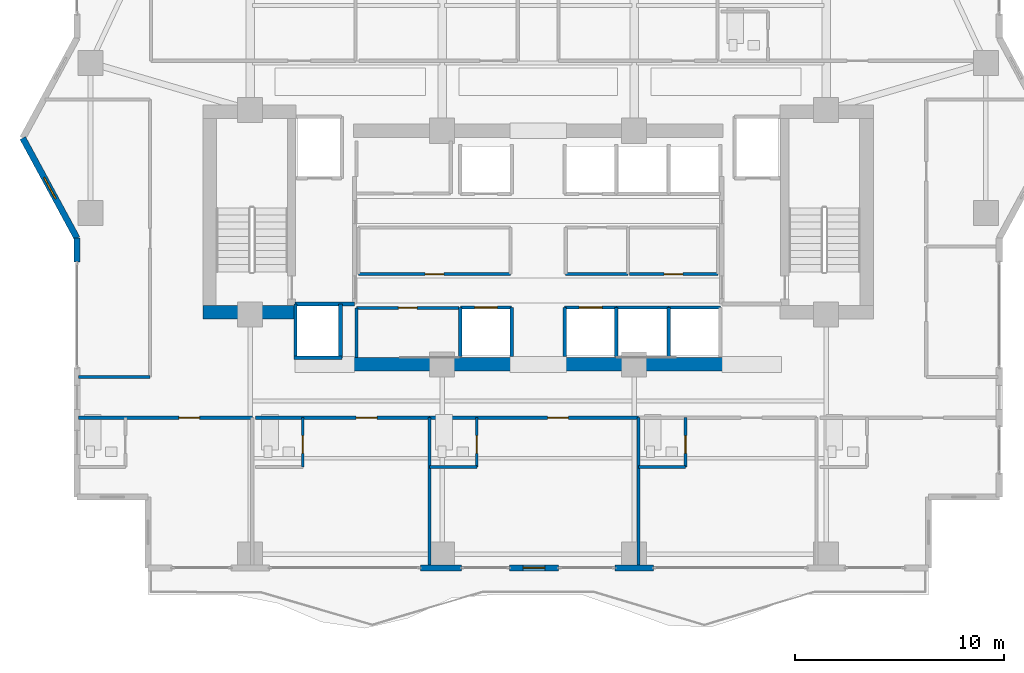
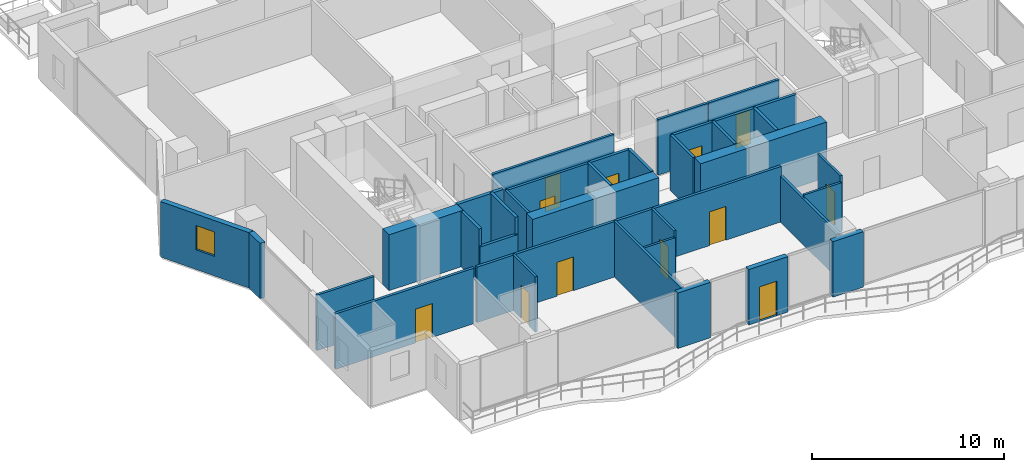
# One storey, part 24 of 32: 37 walls, 12 doors, 1 window, 13 openings.
"""IFC4 building model written with IfcOpenShell, lengths in metres."""

from ifc_helpers import new_model, si_unit, direction, frame, frame_2d, origin, place, context, subcontext, project, spatial, rectangle, extrude, material, layer, layer_set, type_object, element, fill, save


model = new_model("IFC4")

# Units and contexts
model_context = context("Model", 3, precision=1e-05, world=origin(), true_north=direction((0.0, 1.0)))
body_context = subcontext(model_context, "Body", "Model", "MODEL_VIEW")
ifc_project = project(units=[si_unit("LENGTHUNIT", "METRE"), si_unit("AREAUNIT", "SQUARE_METRE"), si_unit("VOLUMEUNIT", "CUBIC_METRE"), si_unit("PLANEANGLEUNIT", "RADIAN"), si_unit("MASSUNIT", "GRAM", prefix="KILO")], contexts=[model_context])

# Site, building, storey
site_placement = place(None, origin())
site = spatial("IfcSite", under=ifc_project, at=site_placement, CompositionType="ELEMENT")
building_placement = place(site_placement, origin())
building = spatial("IfcBuilding", under=site, at=building_placement, Name="Zuhayl Quay Hotel", CompositionType="ELEMENT")
storey_placement = place(building_placement, frame((0.0, 0.0, 184.89990234375)))
storey = spatial("IfcBuildingStorey", under=building, at=storey_placement, Name="L46", CompositionType="ELEMENT", Elevation=184.89990234375)

# Walls
ifc_material_1 = material(Name="Concrete C50/60", Category="concrete")
ifc_layer_1 = layer(ifc_material_1, 0.64990234375, Name="Concrete C50/60", Category="concrete")
ifc_layer_set_1 = layer_set([ifc_layer_1], Name="Concrete C50/60")
wall_type_1 = type_object("IfcWallType", Name="WL_CORE_650", PredefinedType="SHEAR", material=ifc_layer_set_1)
wall_1_placement = place(storey_placement, frame((-16.06005859375, 4.64501953125, 0.0), z_axis=(0.0, 0.0, 1.0), x_axis=(1.0, 0.0, 0.0)))
element("IfcWall", 1, at=wall_1_placement, inside=storey, type_object=wall_type_1, Name="L46 Core Shear Wall CW_SW", PredefinedType="SHEAR", context=body_context, shape_type="SweptSolid", body=[
    extrude(rectangle(XDim=4.4599609375, YDim=0.64990234375, at=frame_2d((2.22998046875, 0.0))), origin(), (0.0, 0.0, 1.0), 3.56005859375),
])
for number, where, z_axis, x_axis, name in (
    (2, (-8.85009765625, 2.14990234375, 0.0), (0.0, 0.0, 1.0), (1.0, 0.0, 0.0), "L46 Core Shear Wall CW_SC_W"),
    (3, (1.25, 2.14990234375, 0.0), (0.0, 0.0, 1.0), (1.0, 0.0, 0.0), "L46 Core Shear Wall CW_SC_E"),
):
    element("IfcWall", number, at=place(storey_placement, frame(where, z_axis=z_axis, x_axis=x_axis)), inside=storey, type_object=wall_type_1, Name=name, PredefinedType="SHEAR", context=body_context, shape_type="SweptSolid", body=[
        extrude(rectangle(XDim=7.60009765625, YDim=0.64990234375, at=frame_2d((3.800048828125, 0.0))), origin(), (0.0, 0.0, 1.0), 3.530029296875),
    ])
ifc_material_2 = material(Name="Precast concrete C45/55", Category="concrete")
ifc_layer_2 = layer(ifc_material_2, 0.300048828125, Name="Precast concrete C45/55", Category="concrete")
ifc_layer_set_2 = layer_set([ifc_layer_2], Name="Precast concrete C45/55")
wall_type_2 = type_object("IfcWallType", Name="WL_EXT_300", PredefinedType="STANDARD", material=ifc_layer_set_2)
wall_2_placement = place(storey_placement, frame((-22.10009765625, 7.050048828125, 0.0), z_axis=(0.0, 0.0, 1.0), x_axis=(0.0, 1.0, 0.0)))
element("IfcWall", 4, at=wall_2_placement, inside=storey, type_object=wall_type_2, Name="L46 Exterior Precast Wall ENV_L46_E02_EW2", PredefinedType="STANDARD", context=body_context, shape_type="SweptSolid", body=[
    extrude(rectangle(XDim=1.14990234375, YDim=0.300048828125, at=frame_2d((0.574951171875, 0.0))), origin(), (0.0, 0.0, 1.0), 3.530029296875),
])

# Wall, opening, window
wall_3_placement = place(storey_placement, frame((-22.10009765625, 8.199951171875, 0.0), z_axis=(0.0, 0.0, 1.0), x_axis=(-0.476258655584, 0.879305233114, 0.0)))
wall_3 = element("IfcWall", 5, at=wall_3_placement, inside=storey, type_object=wall_type_2, Name="L46 Exterior Precast Wall ENV_L46_EW03", PredefinedType="STANDARD", context=body_context, shape_type="SweptSolid", body=[
    extrude(rectangle(XDim=5.458984375, YDim=0.300048828125, at=frame_2d((2.7294921875, 0.0))), origin(), (0.0, 0.0, 1.0), 3.530029296875),
])
opening_1_placement = place(wall_3_placement, frame((2.154541015625, 0.0, 1.25)))
opening_1 = element("IfcOpeningElement", 6, at=opening_1_placement, cuts=wall_3, Name="Opening W01N", PredefinedType="OPENING", context=body_context, shape_type="SweptSolid", body=[
    extrude(rectangle(XDim=1.14990234375, YDim=1.550048828125, at=frame_2d((0.574951171875, 0.77490234375))), frame((0.0, 0.159912109375, 0.0), z_axis=(0.0, -1.0, 0.0), x_axis=(1.0, 0.0, 0.0)), (0.0, 0.0, 1.0), 0.320068359375),
])
ifc_material_3 = material(Name="Dark Ceramic-Fritted Solar Glass", Category="glass")
window_type = type_object("IfcWindowType", Name="WN_NOTCH_1350", PartitioningType="SINGLE_PANEL", PredefinedType="WINDOW", material=ifc_material_3)
window_placement = place(opening_1_placement, origin())
window = element("IfcWindow", 7, at=window_placement, inside=storey, type_object=window_type, Name="L46 Corner Notch Window 3", OverallHeight=1.550048828125, OverallWidth=1.14990234375, PartitioningType="SINGLE_PANEL", PredefinedType="WINDOW", context=body_context, shape_type="SweptSolid", body=[
    extrude(rectangle(XDim=1.14990234375, YDim=1.550048828125, at=frame_2d((0.574951171875, 0.77490234375))), frame((0.0, 0.030029296875, 0.0), z_axis=(0.0, -1.0, 0.0), x_axis=(1.0, 0.0, 0.0)), (0.0, 0.0, 1.0), 0.06005859375),
])
fill(opening_1, window)

# Wall
wall_4_placement = place(storey_placement, frame((5.52001953125, -7.60009765625, 0.0), z_axis=(0.0, 0.0, 1.0), x_axis=(-1.0, 0.0, 0.0)))
element("IfcWall", 8, at=wall_4_placement, inside=storey, type_object=wall_type_2, Name="L46 Exterior Precast Wall ENV_L46_S_EW3", PredefinedType="STANDARD", context=body_context, shape_type="SweptSolid", body=[
    extrude(rectangle(XDim=1.840087890625, YDim=0.300048828125, at=frame_2d((0.919921875, 0.0))), origin(), (0.0, 0.0, 1.0), 3.530029296875),
])

# Wall, opening, door
wall_5_placement = place(storey_placement, frame((0.97509765625, -7.60009765625, 0.0), z_axis=(0.0, 0.0, 1.0), x_axis=(-1.0, 0.0, 0.0)))
wall_5 = element("IfcWall", 9, at=wall_5_placement, inside=storey, type_object=wall_type_2, Name="L46 Exterior Precast Wall ENV_L46_S_EW4", PredefinedType="STANDARD", context=body_context, shape_type="SweptSolid", body=[
    extrude(rectangle(XDim=2.35009765625, YDim=0.300048828125, at=frame_2d((1.175048828125, 0.0))), origin(), (0.0, 0.0, 1.0), 3.530029296875),
])
opening_2_placement = place(wall_5_placement, frame((0.64990234375, 0.0, 0.0)))
opening_2 = element("IfcOpeningElement", 10, at=opening_2_placement, cuts=wall_5, Name="Opening DG1", PredefinedType="OPENING", context=body_context, shape_type="SweptSolid", body=[
    extrude(rectangle(XDim=1.050048828125, YDim=2.199951171875, at=frame_2d((0.52490234375, 1.10009765625))), frame((0.0, 0.159912109375, 0.0), z_axis=(0.0, -1.0, 0.0), x_axis=(1.0, 0.0, 0.0)), (0.0, 0.0, 1.0), 0.320068359375),
])
ifc_material_4 = material(Name="Anodised Aluminium and Dark Solar Glass", Category="aluminium")
door_type_1 = type_object("IfcDoorType", Name="DR_EXT_TERR_1050", OperationType="NOTDEFINED", PredefinedType="DOOR", material=ifc_material_4)
door_1_placement = place(opening_2_placement, origin())
door_1 = element("IfcDoor", 11, at=door_1_placement, inside=storey, type_object=door_type_1, Name="L46 South Rippling Balcony Door", OperationType="SINGLE_SWING_RIGHT", OverallHeight=2.199951171875, OverallWidth=1.050048828125, PredefinedType="DOOR", context=body_context, shape_type="SweptSolid", body=[
    extrude(rectangle(XDim=1.050048828125, YDim=2.199951171875, at=frame_2d((0.52490234375, 1.10009765625))), frame((0.0, 0.02490234375, 0.0), z_axis=(0.0, -1.0, 0.0), x_axis=(1.0, 0.0, 0.0)), (0.0, 0.0, 1.0), 0.050048828125),
])
fill(opening_2, door_1)

# Wall
wall_6_placement = place(storey_placement, frame((-3.679931640625, -7.60009765625, 0.0), z_axis=(0.0, 0.0, 1.0), x_axis=(-1.0, 0.0, 0.0)))
element("IfcWall", 12, at=wall_6_placement, inside=storey, type_object=wall_type_2, Name="L46 Exterior Precast Wall ENV_L46_S_EW5", PredefinedType="STANDARD", context=body_context, shape_type="SweptSolid", body=[
    extrude(rectangle(XDim=1.969970703125, YDim=0.300048828125, at=frame_2d((0.98486328125, 0.0))), origin(), (0.0, 0.0, 1.0), 3.530029296875),
])

# Wall, opening, door
ifc_material_5 = material(Name="Acoustic Gypsum Partition STC-58")
ifc_layer_3 = layer(ifc_material_5, 0.14990234375, Name="Acoustic Gypsum Partition STC-58")
ifc_layer_set_3 = layer_set([ifc_layer_3], Name="Acoustic Gypsum Partition STC-58")
wall_type_3 = type_object("IfcWallType", Name="WL_PART_150", PredefinedType="PARTITIONING", material=ifc_layer_set_3)
wall_7_placement = place(storey_placement, frame((-8.7099609375, 4.860107421875, 0.0), z_axis=(0.0, 0.0, 1.0), x_axis=(1.0, 0.0, 0.0)))
wall_7 = element("IfcWall", 13, at=wall_7_placement, inside=storey, type_object=wall_type_3, Name="L46 Partition IW_L46_FLP_S_N", PredefinedType="PARTITIONING", context=body_context, shape_type="SweptSolid", body=[
    extrude(rectangle(XDim=4.919921875, YDim=0.14990234375, at=frame_2d((2.4599609375, 0.0))), origin(), (0.0, 0.0, 1.0), 3.530029296875),
])
opening_3_placement = place(wall_7_placement, frame((2.010009765625, 0.0, 0.0)))
opening_3 = element("IfcOpeningElement", 14, at=opening_3_placement, cuts=wall_7, Name="Opening D06", PredefinedType="OPENING", context=body_context, shape_type="SweptSolid", body=[
    extrude(rectangle(XDim=0.89990234375, YDim=2.14990234375, at=frame_2d((0.449951171875, 1.074951171875))), frame((0.0, 0.0849609375, 0.0), z_axis=(0.0, -1.0, 0.0), x_axis=(1.0, 0.0, 0.0)), (0.0, 0.0, 1.0), 0.169921875),
])
ifc_material_6 = material(Name="Steel ASTM A992 Grade 50", Category="steel")
door_type_2 = type_object("IfcDoorType", Name="DR_INT_900", OperationType="NOTDEFINED", PredefinedType="DOOR", material=ifc_material_6)
door_2_placement = place(opening_3_placement, origin())
door_2 = element("IfcDoor", 15, at=door_2_placement, inside=storey, type_object=door_type_2, Name="L46 Sky-Zone Butler Servery Door", OperationType="SINGLE_SWING_LEFT", OverallHeight=2.14990234375, OverallWidth=0.89990234375, PredefinedType="DOOR", context=body_context, shape_type="SweptSolid", body=[
    extrude(rectangle(XDim=0.89990234375, YDim=2.14990234375, at=frame_2d((0.449951171875, 1.074951171875))), frame((0.0, 0.02490234375, 0.0), z_axis=(0.0, -1.0, 0.0), x_axis=(1.0, 0.0, 0.0)), (0.0, 0.0, 1.0), 0.050048828125),
])
fill(opening_3, door_2)

wall_8_placement = place(storey_placement, frame((-8.610107421875, 6.47998046875, 0.0), z_axis=(0.0, 0.0, 1.0), x_axis=(1.0, 0.0, 0.0)))
wall_8 = element("IfcWall", 16, at=wall_8_placement, inside=storey, type_object=wall_type_3, Name="L46 Partition IW_L46_CORE_EL_S", PredefinedType="PARTITIONING", context=body_context, shape_type="SweptSolid", body=[
    extrude(rectangle(XDim=7.2900390625, YDim=0.14990234375, at=frame_2d((3.64501953125, 0.0))), origin(), (0.0, 0.0, 1.0), 3.530029296875),
])
opening_4_placement = place(wall_8_placement, frame((3.195068359375, 0.0, 0.0)))
opening_4 = element("IfcOpeningElement", 17, at=opening_4_placement, cuts=wall_8, Name="Opening D06", PredefinedType="OPENING", context=body_context, shape_type="SweptSolid", body=[
    extrude(rectangle(XDim=0.89990234375, YDim=2.14990234375, at=frame_2d((0.449951171875, 1.074951171875))), frame((0.0, 0.0849609375, 0.0), z_axis=(0.0, -1.0, 0.0), x_axis=(1.0, 0.0, 0.0)), (0.0, 0.0, 1.0), 0.169921875),
])
door_3_placement = place(opening_4_placement, origin())
door_3 = element("IfcDoor", 18, at=door_3_placement, inside=storey, type_object=door_type_2, Name="L46 Floor Electrical Plant Room Door", OperationType="SINGLE_SWING_LEFT", OverallHeight=2.14990234375, OverallWidth=0.89990234375, PredefinedType="DOOR", context=body_context, shape_type="SweptSolid", body=[
    extrude(rectangle(XDim=0.89990234375, YDim=2.14990234375, at=frame_2d((0.449951171875, 1.074951171875))), frame((0.0, 0.02490234375, 0.0), z_axis=(0.0, -1.0, 0.0), x_axis=(1.0, 0.0, 0.0)), (0.0, 0.0, 1.0), 0.050048828125),
])
fill(opening_4, door_3)

wall_9_placement = place(storey_placement, frame((4.3701171875, 6.47998046875, 0.0), z_axis=(0.0, 0.0, 1.0), x_axis=(1.0, 0.0, 0.0)))
wall_9 = element("IfcWall", 19, at=wall_9_placement, inside=storey, type_object=wall_type_3, Name="L46 Partition IW_L46_CORE_LN_S", PredefinedType="PARTITIONING", context=body_context, shape_type="SweptSolid", body=[
    extrude(rectangle(XDim=4.239990234375, YDim=0.14990234375, at=frame_2d((2.1201171875, 0.0))), origin(), (0.0, 0.0, 1.0), 3.530029296875),
])
opening_5_placement = place(wall_9_placement, frame((1.669921875, 0.0, 0.0)))
opening_5 = element("IfcOpeningElement", 20, at=opening_5_placement, cuts=wall_9, Name="Opening D06", PredefinedType="OPENING", context=body_context, shape_type="SweptSolid", body=[
    extrude(rectangle(XDim=0.89990234375, YDim=2.14990234375, at=frame_2d((0.449951171875, 1.074951171875))), frame((0.0, 0.0849609375, 0.0), z_axis=(0.0, -1.0, 0.0), x_axis=(1.0, 0.0, 0.0)), (0.0, 0.0, 1.0), 0.169921875),
])
door_4_placement = place(opening_5_placement, origin())
door_4 = element("IfcDoor", 21, at=door_4_placement, inside=storey, type_object=door_type_2, Name="L46 Core Linen Store Door", OperationType="SINGLE_SWING_LEFT", OverallHeight=2.14990234375, OverallWidth=0.89990234375, PredefinedType="DOOR", context=body_context, shape_type="SweptSolid", body=[
    extrude(rectangle(XDim=0.89990234375, YDim=2.14990234375, at=frame_2d((0.449951171875, 1.074951171875))), frame((0.0, 0.02490234375, 0.0), z_axis=(0.0, -1.0, 0.0), x_axis=(1.0, 0.0, 0.0)), (0.0, 0.0, 1.0), 0.050048828125),
])
fill(opening_5, door_4)

# Walls
wall_10_placement = place(storey_placement, frame((-8.7099609375, 2.489990234375, 0.0), z_axis=(0.0, 0.0, 1.0), x_axis=(0.0, 1.0, 0.0)))
element("IfcWall", 22, at=wall_10_placement, inside=storey, type_object=wall_type_3, Name="L46 Partition IW_L46_FLP_S_W", PredefinedType="PARTITIONING", context=body_context, shape_type="SweptSolid", body=[
    extrude(rectangle(XDim=2.3701171875, YDim=0.14990234375, at=frame_2d((1.18505859375, 0.0))), origin(), (0.0, 0.0, 1.0), 3.530029296875),
])
wall_11_placement = place(storey_placement, frame((1.320068359375, 6.47998046875, 0.0), z_axis=(0.0, 0.0, 1.0), x_axis=(1.0, 0.0, 0.0)))
element("IfcWall", 23, at=wall_11_placement, inside=storey, type_object=wall_type_3, Name="L46 Partition IW_L46_CORE_IT_S", PredefinedType="PARTITIONING", context=body_context, shape_type="SweptSolid", body=[
    extrude(rectangle(XDim=2.989990234375, YDim=0.14990234375, at=frame_2d((1.4951171875, 0.0))), origin(), (0.0, 0.0, 1.0), 3.530029296875),
])
wall_12_placement = place(storey_placement, frame((-5.199951171875, -7.52001953125, 0.0), z_axis=(0.0, 0.0, 1.0), x_axis=(0.0, 1.0, 0.0)))
element("IfcWall", 24, at=wall_12_placement, inside=storey, type_object=wall_type_3, Name="L46 Partition IW_L46_SU01B_E", PredefinedType="PARTITIONING", context=body_context, shape_type="SweptSolid", body=[
    extrude(rectangle(XDim=7.1201171875, YDim=0.14990234375, at=frame_2d((3.56005859375, 0.0))), origin(), (0.0, 0.0, 1.0), 3.530029296875),
])
wall_13_placement = place(storey_placement, frame((4.800048828125, -7.52001953125, 0.0), z_axis=(0.0, 0.0, 1.0), x_axis=(0.0, 1.0, 0.0)))
element("IfcWall", 25, at=wall_13_placement, inside=storey, type_object=wall_type_3, Name="L46 Partition IW_L46_SU02_E", PredefinedType="PARTITIONING", context=body_context, shape_type="SweptSolid", body=[
    extrude(rectangle(XDim=7.1201171875, YDim=0.14990234375, at=frame_2d((3.56005859375, 0.0))), origin(), (0.0, 0.0, 1.0), 2.923095703125),
])
wall_14_placement = place(storey_placement, frame((-22.0400390625, 1.550048828125, 0.0), z_axis=(0.0, 0.0, 1.0), x_axis=(1.0, 0.0, 0.0)))
element("IfcWall", 26, at=wall_14_placement, inside=storey, type_object=wall_type_3, Name="L46 Partition IW_L46_WPROW_1_S", PredefinedType="PARTITIONING", context=body_context, shape_type="SweptSolid", body=[
    extrude(rectangle(XDim=3.43994140625, YDim=0.14990234375, at=frame_2d((1.719970703125, 0.0))), origin(), (0.0, 0.0, 1.0), 3.530029296875),
])

# Wall, opening, door
ifc_layer_4 = layer(ifc_material_5, 0.159912109375, Name="Acoustic Gypsum Partition STC-58")
ifc_layer_set_4 = layer_set([ifc_layer_4], Name="Acoustic Gypsum Partition STC-58")
wall_type_4 = type_object("IfcWallType", Name="WL_PART_CORR_160", PredefinedType="PARTITIONING", material=ifc_layer_set_4)
wall_15_placement = place(storey_placement, frame((-22.0400390625, -0.39990234375, 0.0), z_axis=(0.0, 0.0, 1.0), x_axis=(1.0, 0.0, 0.0)))
wall_15 = element("IfcWall", 27, at=wall_15_placement, inside=storey, type_object=wall_type_4, Name="L46 Partition IW_L46_SU01A_COR", PredefinedType="PARTITIONING", context=body_context, shape_type="SweptSolid", body=[
    extrude(rectangle(XDim=8.340087890625, YDim=0.159912109375, at=frame_2d((4.169921875, 0.0))), origin(), (0.0, 0.0, 1.0), 3.530029296875),
])
opening_6_placement = place(wall_15_placement, frame((4.820068359375, 0.0, 0.0)))
opening_6 = element("IfcOpeningElement", 28, at=opening_6_placement, cuts=wall_15, Name="Opening D03L", PredefinedType="OPENING", context=body_context, shape_type="SweptSolid", body=[
    extrude(rectangle(XDim=1.0, YDim=2.14990234375, at=frame_2d((0.5, 1.074951171875))), frame((0.0, 0.08984375, 0.0), z_axis=(0.0, -1.0, 0.0), x_axis=(1.0, 0.0, 0.0)), (0.0, 0.0, 1.0), 0.179931640625),
])
ifc_material_7 = material(Name="Solid Walnut Acoustic Fire Door")
door_type_3 = type_object("IfcDoorType", Name="DR_SUITE_1000", OperationType="NOTDEFINED", PredefinedType="DOOR", material=ifc_material_7)
door_5_placement = place(opening_6_placement, origin())
door_5 = element("IfcDoor", 29, at=door_5_placement, inside=storey, type_object=door_type_3, Name="L46 City-View Junior Suite L46-01A Entrance Door", OperationType="SINGLE_SWING_RIGHT", OverallHeight=2.14990234375, OverallWidth=1.0, PredefinedType="DOOR", context=body_context, shape_type="SweptSolid", body=[
    extrude(rectangle(XDim=1.0, YDim=2.14990234375, at=frame_2d((0.5, 1.074951171875))), frame((0.0, 0.02490234375, 0.0), z_axis=(0.0, -1.0, 0.0), x_axis=(1.0, 0.0, 0.0)), (0.0, 0.0, 1.0), 0.050048828125),
])
fill(opening_6, door_5)

wall_16_placement = place(storey_placement, frame((-13.5400390625, -0.39990234375, 0.0), z_axis=(0.0, 0.0, 1.0), x_axis=(1.0, 0.0, 0.0)))
wall_16 = element("IfcWall", 30, at=wall_16_placement, inside=storey, type_object=wall_type_4, Name="L46 Partition IW_L46_SU01B_COR", PredefinedType="PARTITIONING", context=body_context, shape_type="SweptSolid", body=[
    extrude(rectangle(XDim=8.340087890625, YDim=0.159912109375, at=frame_2d((4.169921875, 0.0))), origin(), (0.0, 0.0, 1.0), 3.530029296875),
])
opening_7_placement = place(wall_16_placement, frame((4.820068359375, 0.0, 0.0)))
opening_7 = element("IfcOpeningElement", 31, at=opening_7_placement, cuts=wall_16, Name="Opening D03L", PredefinedType="OPENING", context=body_context, shape_type="SweptSolid", body=[
    extrude(rectangle(XDim=1.0, YDim=2.14990234375, at=frame_2d((0.5, 1.074951171875))), frame((0.0, 0.08984375, 0.0), z_axis=(0.0, -1.0, 0.0), x_axis=(1.0, 0.0, 0.0)), (0.0, 0.0, 1.0), 0.179931640625),
])
door_6_placement = place(opening_7_placement, origin())
door_6 = element("IfcDoor", 32, at=door_6_placement, inside=storey, type_object=door_type_3, Name="L46 City-View Junior Suite L46-01B Entrance Door", OperationType="SINGLE_SWING_RIGHT", OverallHeight=2.14990234375, OverallWidth=1.0, PredefinedType="DOOR", context=body_context, shape_type="SweptSolid", body=[
    extrude(rectangle(XDim=1.0, YDim=2.14990234375, at=frame_2d((0.5, 1.074951171875))), frame((0.0, 0.02490234375, 0.0), z_axis=(0.0, -1.0, 0.0), x_axis=(1.0, 0.0, 0.0)), (0.0, 0.0, 1.0), 0.050048828125),
])
fill(opening_7, door_6)

wall_17_placement = place(storey_placement, frame((-5.199951171875, -0.39990234375, 0.0), z_axis=(0.0, 0.0, 1.0), x_axis=(1.0, 0.0, 0.0)))
wall_17 = element("IfcWall", 33, at=wall_17_placement, inside=storey, type_object=wall_type_4, Name="L46 Partition IW_L46_SU02_COR", PredefinedType="PARTITIONING", context=body_context, shape_type="SweptSolid", body=[
    extrude(rectangle(XDim=10.0, YDim=0.159912109375, at=frame_2d((5.0, 0.0))), origin(), (0.0, 0.0, 1.0), 3.530029296875),
])
opening_8_placement = place(wall_17_placement, frame((5.64990234375, 0.0, 0.0)))
opening_8 = element("IfcOpeningElement", 34, at=opening_8_placement, cuts=wall_17, Name="Opening D03L", PredefinedType="OPENING", context=body_context, shape_type="SweptSolid", body=[
    extrude(rectangle(XDim=1.0, YDim=2.14990234375, at=frame_2d((0.5, 1.074951171875))), frame((0.0, 0.08984375, 0.0), z_axis=(0.0, -1.0, 0.0), x_axis=(1.0, 0.0, 0.0)), (0.0, 0.0, 1.0), 0.179931640625),
])
door_7_placement = place(opening_8_placement, origin())
door_7 = element("IfcDoor", 35, at=door_7_placement, inside=storey, type_object=door_type_3, Name="L46 City-View Junior Suite L46-02 Entrance Door", OperationType="SINGLE_SWING_RIGHT", OverallHeight=2.14990234375, OverallWidth=1.0, PredefinedType="DOOR", context=body_context, shape_type="SweptSolid", body=[
    extrude(rectangle(XDim=1.0, YDim=2.14990234375, at=frame_2d((0.5, 1.074951171875))), frame((0.0, 0.02490234375, 0.0), z_axis=(0.0, -1.0, 0.0), x_axis=(1.0, 0.0, 0.0)), (0.0, 0.0, 1.0), 0.050048828125),
])
fill(opening_8, door_7)

ifc_material_8 = material(Name="Moisture-Resistant Sanitarychase Gypsum")
ifc_layer_5 = layer(ifc_material_8, 0.135009765625, Name="Moisture-Resistant Sanitarychase Gypsum")
ifc_layer_set_5 = layer_set([ifc_layer_5], Name="Moisture-Resistant Sanitarychase Gypsum")
wall_type_5 = type_object("IfcWallType", Name="WL_PART_PLUMB_150", PredefinedType="PLUMBINGWALL", material=ifc_layer_set_5)
wall_18_placement = place(storey_placement, frame((-11.280029296875, -2.760009765625, 0.0), z_axis=(0.0, 0.0, 1.0), x_axis=(0.0, 1.0, 0.0)))
wall_18 = element("IfcWall", 36, at=wall_18_placement, inside=storey, type_object=wall_type_5, Name="L46 Partition IW_L46_SU01B_BE", PredefinedType="PLUMBINGWALL", context=body_context, shape_type="SweptSolid", body=[
    extrude(rectangle(XDim=2.360107421875, YDim=0.135009765625, at=frame_2d((1.18017578125, 0.0))), origin(), (0.0, 0.0, 1.0), 3.530029296875),
])
opening_9_placement = place(wall_18_placement, frame((0.64990234375, 0.0, 0.0)))
opening_9 = element("IfcOpeningElement", 37, at=opening_9_placement, cuts=wall_18, Name="Opening D04", PredefinedType="OPENING", context=body_context, shape_type="SweptSolid", body=[
    extrude(rectangle(XDim=0.85009765625, YDim=2.10009765625, at=frame_2d((0.425048828125, 1.050048828125))), frame((0.0, 0.077392578125, 0.0), z_axis=(0.0, -1.0, 0.0), x_axis=(1.0, 0.0, 0.0)), (0.0, 0.0, 1.0), 0.155029296875),
])
ifc_material_9 = material(Name="Moisture-Resistant Walnut Veneer")
door_type_4 = type_object("IfcDoorType", Name="DR_BATH_850", OperationType="NOTDEFINED", PredefinedType="DOOR", material=ifc_material_9)
door_8_placement = place(opening_9_placement, origin())
door_8 = element("IfcDoor", 38, at=door_8_placement, inside=storey, type_object=door_type_4, Name="L46 City-View Junior Suite L46-01B En-Suite Door", OperationType="SINGLE_SWING_LEFT", OverallHeight=2.10009765625, OverallWidth=0.85009765625, PredefinedType="DOOR", context=body_context, shape_type="SweptSolid", body=[
    extrude(rectangle(XDim=0.85009765625, YDim=2.10009765625, at=frame_2d((0.425048828125, 1.050048828125))), frame((0.0, 0.02490234375, 0.0), z_axis=(0.0, -1.0, 0.0), x_axis=(1.0, 0.0, 0.0)), (0.0, 0.0, 1.0), 0.050048828125),
])
fill(opening_9, door_8)

wall_19_placement = place(storey_placement, frame((-2.93994140625, -2.760009765625, 0.0), z_axis=(0.0, 0.0, 1.0), x_axis=(0.0, 1.0, 0.0)))
wall_19 = element("IfcWall", 39, at=wall_19_placement, inside=storey, type_object=wall_type_5, Name="L46 Partition IW_L46_SU02_BE", PredefinedType="PLUMBINGWALL", context=body_context, shape_type="SweptSolid", body=[
    extrude(rectangle(XDim=2.360107421875, YDim=0.135009765625, at=frame_2d((1.18017578125, 0.0))), origin(), (0.0, 0.0, 1.0), 3.530029296875),
])
opening_10_placement = place(wall_19_placement, frame((0.64990234375, 0.0, 0.0)))
opening_10 = element("IfcOpeningElement", 40, at=opening_10_placement, cuts=wall_19, Name="Opening D04", PredefinedType="OPENING", context=body_context, shape_type="SweptSolid", body=[
    extrude(rectangle(XDim=0.85009765625, YDim=2.10009765625, at=frame_2d((0.425048828125, 1.050048828125))), frame((0.0, 0.077392578125, 0.0), z_axis=(0.0, -1.0, 0.0), x_axis=(1.0, 0.0, 0.0)), (0.0, 0.0, 1.0), 0.155029296875),
])
door_9_placement = place(opening_10_placement, origin())
door_9 = element("IfcDoor", 41, at=door_9_placement, inside=storey, type_object=door_type_4, Name="L46 City-View Junior Suite L46-02 En-Suite Door", OperationType="SINGLE_SWING_LEFT", OverallHeight=2.10009765625, OverallWidth=0.85009765625, PredefinedType="DOOR", context=body_context, shape_type="SweptSolid", body=[
    extrude(rectangle(XDim=0.85009765625, YDim=2.10009765625, at=frame_2d((0.425048828125, 1.050048828125))), frame((0.0, 0.02490234375, 0.0), z_axis=(0.0, -1.0, 0.0), x_axis=(1.0, 0.0, 0.0)), (0.0, 0.0, 1.0), 0.050048828125),
])
fill(opening_10, door_9)

wall_20_placement = place(storey_placement, frame((7.06005859375, -2.760009765625, 0.0), z_axis=(0.0, 0.0, 1.0), x_axis=(0.0, 1.0, 0.0)))
wall_20 = element("IfcWall", 42, at=wall_20_placement, inside=storey, type_object=wall_type_5, Name="L46 Partition IW_L46_SU03A_BE", PredefinedType="PLUMBINGWALL", context=body_context, shape_type="SweptSolid", body=[
    extrude(rectangle(XDim=2.360107421875, YDim=0.135009765625, at=frame_2d((1.18017578125, 0.0))), origin(), (0.0, 0.0, 1.0), 3.530029296875),
])
opening_11_placement = place(wall_20_placement, frame((0.64990234375, 0.0, 0.0)))
opening_11 = element("IfcOpeningElement", 43, at=opening_11_placement, cuts=wall_20, Name="Opening D04", PredefinedType="OPENING", context=body_context, shape_type="SweptSolid", body=[
    extrude(rectangle(XDim=0.85009765625, YDim=2.10009765625, at=frame_2d((0.425048828125, 1.050048828125))), frame((0.0, 0.077392578125, 0.0), z_axis=(0.0, -1.0, 0.0), x_axis=(1.0, 0.0, 0.0)), (0.0, 0.0, 1.0), 0.155029296875),
])
door_10_placement = place(opening_11_placement, origin())
door_10 = element("IfcDoor", 44, at=door_10_placement, inside=storey, type_object=door_type_4, Name="L46 City-View Junior Suite L46-03A En-Suite Door", OperationType="SINGLE_SWING_LEFT", OverallHeight=2.10009765625, OverallWidth=0.85009765625, PredefinedType="DOOR", context=body_context, shape_type="SweptSolid", body=[
    extrude(rectangle(XDim=0.85009765625, YDim=2.10009765625, at=frame_2d((0.425048828125, 1.050048828125))), frame((0.0, 0.02490234375, 0.0), z_axis=(0.0, -1.0, 0.0), x_axis=(1.0, 0.0, 0.0)), (0.0, 0.0, 1.0), 0.050048828125),
])
fill(opening_11, door_10)

# Walls
for number, where, z_axis, x_axis, name in (
    (45, (-5.199951171875, -2.760009765625, 0.0), (0.0, 0.0, 1.0), (1.0, 0.0, 0.0), "L46 Partition IW_L46_SU02_BS"),
    (46, (4.800048828125, -2.760009765625, 0.0), (0.0, 0.0, 1.0), (1.0, 0.0, 0.0), "L46 Partition IW_L46_SU03A_BS"),
):
    element("IfcWall", number, at=place(storey_placement, frame(where, z_axis=z_axis, x_axis=x_axis)), inside=storey, type_object=wall_type_5, Name=name, PredefinedType="PLUMBINGWALL", context=body_context, shape_type="SweptSolid", body=[
        extrude(rectangle(XDim=2.260009765625, YDim=0.135009765625, at=frame_2d((1.1298828125, 0.0))), origin(), (0.0, 0.0, 1.0), 3.1240234375),
    ])

# Wall, opening, door
ifc_material_10 = material(Name="Gypsum Fireboard Assembly EI-90")
ifc_layer_6 = layer(ifc_material_10, 0.1650390625, Name="Gypsum Fireboard Assembly EI-90")
ifc_layer_set_6 = layer_set([ifc_layer_6], Name="Gypsum Fireboard Assembly EI-90")
wall_type_6 = type_object("IfcWallType", Name="WL_PART_SHAFT_160", PredefinedType="PARTITIONING", material=ifc_layer_set_6)
wall_21_placement = place(storey_placement, frame((-3.72998046875, 4.8798828125, 0.0), z_axis=(0.0, 0.0, 1.0), x_axis=(1.0, 0.0, 0.0)))
wall_21 = element("IfcWall", 47, at=wall_21_placement, inside=storey, type_object=wall_type_6, Name="L46 Partition IW_L46_SH_MP1_F", PredefinedType="PARTITIONING", context=body_context, shape_type="SweptSolid", body=[
    extrude(rectangle(XDim=2.4599609375, YDim=0.1650390625, at=frame_2d((1.22998046875, 0.0))), origin(), (0.0, 0.0, 1.0), 3.530029296875),
])
opening_12_placement = place(wall_21_placement, frame((0.679931640625, 0.0, 0.0)))
opening_12 = element("IfcOpeningElement", 48, at=opening_12_placement, cuts=wall_21, Name="Opening LD1", PredefinedType="OPENING", context=body_context, shape_type="SweptSolid", body=[
    extrude(rectangle(XDim=1.10009765625, YDim=2.25, at=frame_2d((0.550048828125, 1.125))), frame((0.0, 0.092529296875, 0.0), z_axis=(0.0, -1.0, 0.0), x_axis=(1.0, 0.0, 0.0)), (0.0, 0.0, 1.0), 0.18505859375),
])
ifc_material_11 = material(Name="Brushed Stainless Steel", Category="steel")
door_type_5 = type_object("IfcDoorType", Name="DR_LIFT_PASS_1100", OperationType="SLIDING_TO_LEFT", PredefinedType="DOOR", material=ifc_material_11)
door_11_placement = place(opening_12_placement, origin())
door_11 = element("IfcDoor", 49, at=door_11_placement, inside=storey, type_object=door_type_5, Name="L46 Lift MP1 Sliding Landing Door", OperationType="SLIDING_TO_LEFT", OverallHeight=2.25, OverallWidth=1.10009765625, PredefinedType="DOOR", context=body_context, shape_type="SweptSolid", body=[
    extrude(rectangle(XDim=1.10009765625, YDim=2.25, at=frame_2d((0.550048828125, 1.125))), frame((0.0, 0.02490234375, 0.0), z_axis=(0.0, -1.0, 0.0), x_axis=(1.0, 0.0, 0.0)), (0.0, 0.0, 1.0), 0.050048828125),
])
fill(opening_12, door_11)

wall_22_placement = place(storey_placement, frame((1.27001953125, 4.8798828125, 0.0), z_axis=(0.0, 0.0, 1.0), x_axis=(1.0, 0.0, 0.0)))
wall_22 = element("IfcWall", 50, at=wall_22_placement, inside=storey, type_object=wall_type_6, Name="L46 Partition IW_L46_SH_MP2_F", PredefinedType="PARTITIONING", context=body_context, shape_type="SweptSolid", body=[
    extrude(rectangle(XDim=2.47998046875, YDim=0.1650390625, at=frame_2d((1.239990234375, 0.0))), origin(), (0.0, 0.0, 1.0), 3.530029296875),
])
opening_13_placement = place(wall_22_placement, frame((0.68994140625, 0.0, 0.0)))
opening_13 = element("IfcOpeningElement", 51, at=opening_13_placement, cuts=wall_22, Name="Opening LD1", PredefinedType="OPENING", context=body_context, shape_type="SweptSolid", body=[
    extrude(rectangle(XDim=1.10009765625, YDim=2.25, at=frame_2d((0.550048828125, 1.125))), frame((0.0, 0.092529296875, 0.0), z_axis=(0.0, -1.0, 0.0), x_axis=(1.0, 0.0, 0.0)), (0.0, 0.0, 1.0), 0.18505859375),
])
door_12_placement = place(opening_13_placement, origin())
door_12 = element("IfcDoor", 52, at=door_12_placement, inside=storey, type_object=door_type_5, Name="L46 Lift MP2 Sliding Landing Door", OperationType="SLIDING_TO_LEFT", OverallHeight=2.25, OverallWidth=1.10009765625, PredefinedType="DOOR", context=body_context, shape_type="SweptSolid", body=[
    extrude(rectangle(XDim=1.10009765625, YDim=2.25, at=frame_2d((0.550048828125, 1.125))), frame((0.0, 0.02490234375, 0.0), z_axis=(0.0, -1.0, 0.0), x_axis=(1.0, 0.0, 0.0)), (0.0, 0.0, 1.0), 0.050048828125),
])
fill(opening_13, door_12)

# Walls
for number, where, z_axis, x_axis, name in (
    (53, (-3.72998046875, 2.52001953125, 0.0), (0.0, 0.0, 1.0), (0.0, 1.0, 0.0), "L46 Partition IW_L46_SH_MP1_W"),
    (54, (-1.27001953125, 2.52001953125, 0.0), (0.0, 0.0, 1.0), (0.0, 1.0, 0.0), "L46 Partition IW_L46_SH_MP1_E"),
    (55, (1.27001953125, 2.52001953125, 0.0), (0.0, 0.0, 1.0), (0.0, 1.0, 0.0), "L46 Partition IW_L46_SH_MP2_W"),
    (56, (3.75, 2.52001953125, 0.0), (0.0, 0.0, 1.0), (0.0, 1.0, 0.0), "L46 Partition IW_L46_SH_MP2_E"),
):
    element("IfcWall", number, at=place(storey_placement, frame(where, z_axis=z_axis, x_axis=x_axis)), inside=storey, type_object=wall_type_6, Name=name, PredefinedType="PARTITIONING", context=body_context, shape_type="SweptSolid", body=[
        extrude(rectangle(XDim=2.35986328125, YDim=0.1650390625, at=frame_2d((1.179931640625, 0.0))), origin(), (0.0, 0.0, 1.0), 3.530029296875),
    ])
wall_23_placement = place(storey_placement, frame((3.75, 4.8798828125, 0.0), z_axis=(0.0, 0.0, 1.0), x_axis=(1.0, 0.0, 0.0)))
element("IfcWall", 57, at=wall_23_placement, inside=storey, type_object=wall_type_6, Name="L46 Partition IW_L46_SH_HP1_F", PredefinedType="PARTITIONING", context=body_context, shape_type="SweptSolid", body=[
    extrude(rectangle(XDim=2.5, YDim=0.1650390625, at=frame_2d((1.25, 0.0))), origin(), (0.0, 0.0, 1.0), 3.530029296875),
])
wall_24_placement = place(storey_placement, frame((6.25, 2.52001953125, 0.0), z_axis=(0.0, 0.0, 1.0), x_axis=(0.0, 1.0, 0.0)))
element("IfcWall", 58, at=wall_24_placement, inside=storey, type_object=wall_type_6, Name="L46 Partition IW_L46_SH_HP1_E", PredefinedType="PARTITIONING", context=body_context, shape_type="SweptSolid", body=[
    extrude(rectangle(XDim=2.35986328125, YDim=0.1650390625, at=frame_2d((1.179931640625, 0.0))), origin(), (0.0, 0.0, 1.0), 3.530029296875),
])
wall_25_placement = place(storey_placement, frame((6.25, 4.8798828125, 0.0), z_axis=(0.0, 0.0, 1.0), x_axis=(1.0, 0.0, 0.0)))
element("IfcWall", 59, at=wall_25_placement, inside=storey, type_object=wall_type_6, Name="L46 Partition IW_L46_SH_HP2_F", PredefinedType="PARTITIONING", context=body_context, shape_type="SweptSolid", body=[
    extrude(rectangle(XDim=2.47998046875, YDim=0.1650390625, at=frame_2d((1.239990234375, 0.0))), origin(), (0.0, 0.0, 1.0), 3.530029296875),
])
wall_26_placement = place(storey_placement, frame((-11.6298828125, 2.469970703125, 0.0), z_axis=(0.0, 0.0, 1.0), x_axis=(0.0, 1.0, 0.0)))
element("IfcWall", 60, at=wall_26_placement, inside=storey, type_object=wall_type_6, Name="L46 Partition IW_L46_RISER_W", PredefinedType="PARTITIONING", context=body_context, shape_type="SweptSolid", body=[
    extrude(rectangle(XDim=2.580078125, YDim=0.1650390625, at=frame_2d((1.2900390625, 0.0))), origin(), (0.0, 0.0, 1.0), 3.530029296875),
])
wall_27_placement = place(storey_placement, frame((-11.7099609375, 2.469970703125, 0.0), z_axis=(0.0, 0.0, 1.0), x_axis=(1.0, 0.0, 0.0)))
element("IfcWall", 61, at=wall_27_placement, inside=storey, type_object=wall_type_6, Name="L46 Partition IW_L46_RISER_S", PredefinedType="PARTITIONING", context=body_context, shape_type="SweptSolid", body=[
    extrude(rectangle(XDim=2.31005859375, YDim=0.1650390625, at=frame_2d((1.155029296875, 0.0))), origin(), (0.0, 0.0, 1.0), 2.43017578125),
])
ifc_layer_7 = layer(ifc_material_10, 0.179931640625, Name="Gypsum Fireboard Assembly EI-90")
ifc_layer_set_7 = layer_set([ifc_layer_7], Name="Gypsum Fireboard Assembly EI-90")
wall_type_7 = type_object("IfcWallType", Name="WL_PART_SHAFT_180", PredefinedType="PARTITIONING", material=ifc_layer_set_7)
wall_28_placement = place(storey_placement, frame((-9.469970703125, 2.449951171875, 0.0), z_axis=(0.0, 0.0, 1.0), x_axis=(0.0, 1.0, 0.0)))
element("IfcWall", 62, at=wall_28_placement, inside=storey, type_object=wall_type_7, Name="L46 Partition IW_L46_RISER_E", PredefinedType="PARTITIONING", context=body_context, shape_type="SweptSolid", body=[
    extrude(rectangle(XDim=2.60009765625, YDim=0.179931640625, at=frame_2d((1.300048828125, 0.0))), origin(), (0.0, 0.0, 1.0), 3.530029296875),
])
ifc_material_12 = material(Name="Gypsum Fireboard Assembly EI-120")
ifc_layer_8 = layer(ifc_material_12, 0.199951171875, Name="Gypsum Fireboard Assembly EI-120")
ifc_layer_set_8 = layer_set([ifc_layer_8], Name="Gypsum Fireboard Assembly EI-120")
wall_type_8 = type_object("IfcWallType", Name="WL_PART_SHAFT_200", PredefinedType="PARTITIONING", material=ifc_layer_set_8)
wall_29_placement = place(storey_placement, frame((-11.64990234375, 5.050048828125, 0.0), z_axis=(0.0, 0.0, 1.0), x_axis=(1.0, 0.0, 0.0)))
element("IfcWall", 63, at=wall_29_placement, inside=storey, type_object=wall_type_8, Name="L46 Partition IW_L46_FSAE_W_S", PredefinedType="PARTITIONING", context=body_context, shape_type="SweptSolid", body=[
    extrude(rectangle(XDim=2.849853515625, YDim=0.199951171875, at=frame_2d((1.4248046875, 0.0))), origin(), (0.0, 0.0, 1.0), 3.530029296875),
])

save(model, "model.ifc")
